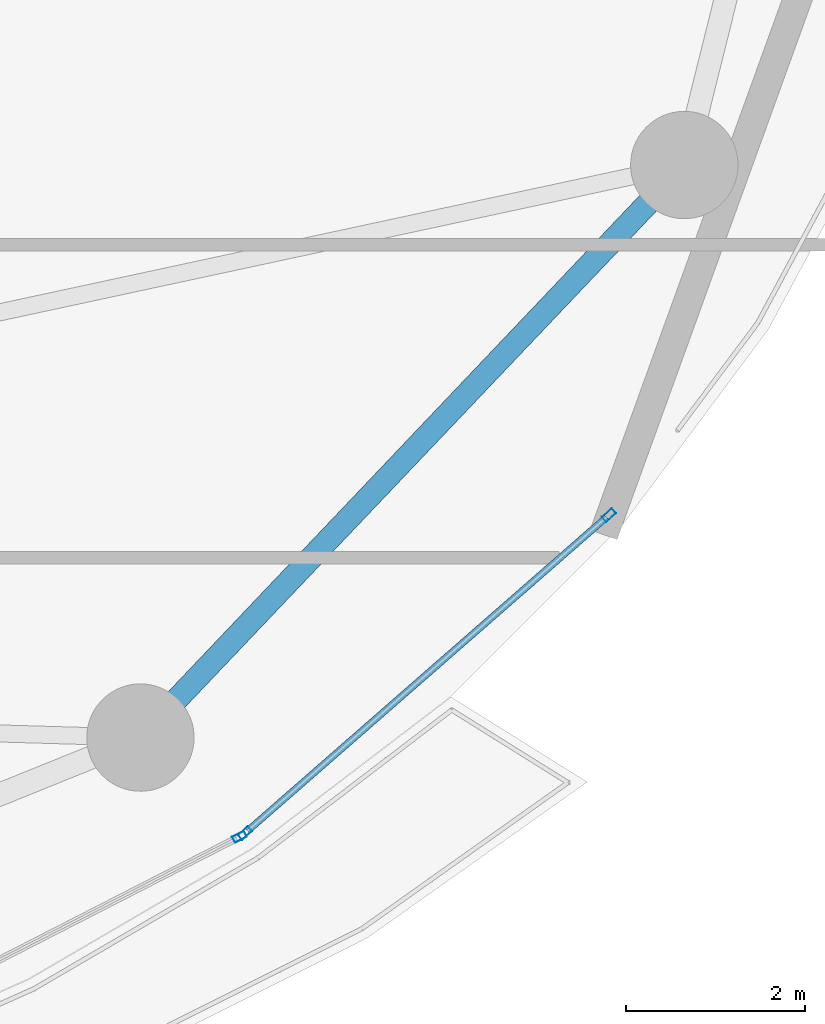
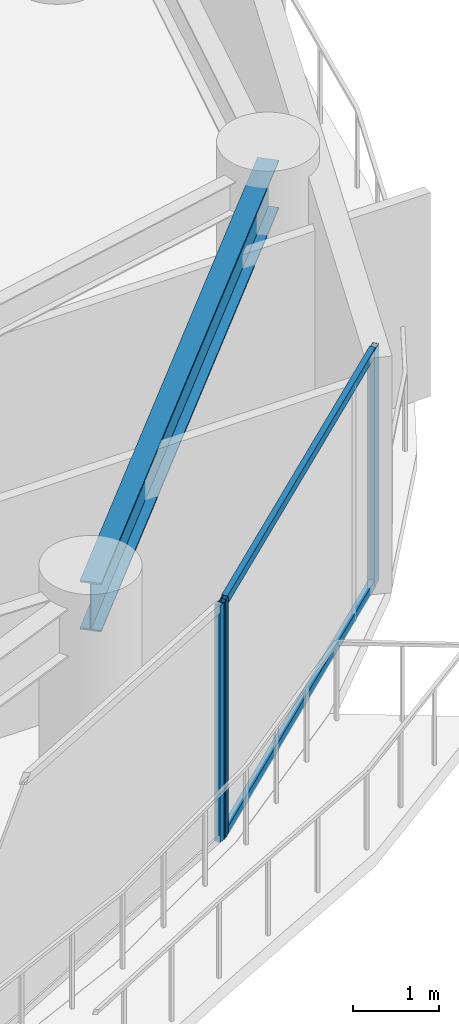
# One storey, part 13 of 28: 5 members, 1 beam, 2 elements without a shape of their own.
"""IFC4 building model written with IfcOpenShell, lengths in metres."""

from ifc_helpers import new_model, si_unit, direction, frame, origin, origin_2d, place, context, subcontext, project, spatial, hollow_rectangle, i_section, extrude, material, layer, layer_set, material_profile, profile_set, type_object, element, aggregate, save


model = new_model("IFC4")

# Units and contexts
model_context = context("Model", 3, precision=1e-05, world=origin(), true_north=direction((0.0, 1.0)))
body_context = subcontext(model_context, "Body", "Model", "MODEL_VIEW")
ifc_project = project(units=[si_unit("LENGTHUNIT", "METRE"), si_unit("AREAUNIT", "SQUARE_METRE"), si_unit("VOLUMEUNIT", "CUBIC_METRE"), si_unit("PLANEANGLEUNIT", "RADIAN"), si_unit("MASSUNIT", "GRAM", prefix="KILO")], contexts=[model_context])

# Site, building, storey
site_placement = place(None, origin())
site = spatial("IfcSite", under=ifc_project, at=site_placement, CompositionType="ELEMENT")
building_placement = place(site_placement, origin())
building = spatial("IfcBuilding", under=site, at=building_placement, Name="Kazevale Care Tower and Concert Hall", CompositionType="ELEMENT")
storey_placement = place(building_placement, frame((0.0, 0.0, 106.199951171875)))
storey = spatial("IfcBuildingStorey", under=building, at=storey_placement, Name="L27", CompositionType="ELEMENT", Elevation=106.199951171875)

# Curtain wall, members
ifc_material_1 = material(Name="Aluminium 6063-T6 and Low-E Glass", Category="aluminium")
ifc_layer = layer(ifc_material_1, 0.179931640625)
ifc_layer_set = layer_set([ifc_layer], Name="Aluminium 6063-T6 and Low-E Glass")
curtain_wall_type = type_object("IfcCurtainWallType", Name="Sheltered Concave Balcony Curtain Wall CW-5", PredefinedType="NOTDEFINED", material=ifc_layer_set)
curtain_wall_1_placement = place(storey_placement, origin())
curtain_wall_1 = element("IfcCurtainWall", 1, at=curtain_wall_1_placement, inside=storey, type_object=curtain_wall_type, Name="cw:L27:f02", PredefinedType="NOTDEFINED")
ifc_material_2 = material(Name="Aluminium 6063-T6", Category="aluminium")
ifc_material_profile_1 = material_profile(ifc_material_2, hollow_rectangle(XDim=0.074951171875, YDim=0.14990234375, WallThickness=0.00390625, at=origin_2d()), Name="ALU75x150x4")
ifc_profile_set_1 = profile_set([ifc_material_profile_1], Name="Aluminium 6063-T6")
member_type_1 = type_object("IfcMemberType", Name="CW-5 Mullion ALU75x150x4", PredefinedType="MULLION", material=ifc_profile_set_1)
member_1_placement = place(storey_placement, frame((70.06787109375, 25.477294921875, 0.0), z_axis=(0.0, 0.0, 1.0), x_axis=(0.657948668382, -0.753062779437, 0.0)))
member_1 = element("IfcMember", 2, at=member_1_placement, type_object=member_type_1, Name="CW-5 mullion 1", PredefinedType="MULLION", context=body_context, shape_type="SweptSolid", body=[
    extrude(hollow_rectangle(XDim=0.074951171875, YDim=0.14990234375, WallThickness=0.00390625, at=origin_2d()), origin(), (0.0, 0.0, 1.0), 3.360107421875),
])
member_2_placement = place(storey_placement, frame((65.999267578125, 21.922607421875, 0.0), z_axis=(0.0, 0.0, 1.0), x_axis=(0.657948668382, -0.753062779437, 0.0)))
member_2 = element("IfcMember", 3, at=member_2_placement, type_object=member_type_1, Name="CW-5 mullion 2", PredefinedType="MULLION", context=body_context, shape_type="SweptSolid", body=[
    extrude(hollow_rectangle(XDim=0.074951171875, YDim=0.14990234375, WallThickness=0.00390625, at=origin_2d()), origin(), (0.0, 0.0, 1.0), 3.360107421875),
])

# Curtain wall, member
curtain_wall_2_placement = place(storey_placement, origin())
curtain_wall_2 = element("IfcCurtainWall", 4, at=curtain_wall_2_placement, inside=storey, type_object=curtain_wall_type, Name="cw:L27:f03", PredefinedType="NOTDEFINED")
member_3_placement = place(storey_placement, frame((65.9375, 21.880859375, 0.0), z_axis=(0.0, 0.0, 1.0), x_axis=(0.455713236575, -0.890126646051, 0.0)))
member_3 = element("IfcMember", 5, at=member_3_placement, type_object=member_type_1, Name="CW-5 mullion 1", PredefinedType="MULLION", context=body_context, shape_type="SweptSolid", body=[
    extrude(hollow_rectangle(XDim=0.074951171875, YDim=0.14990234375, WallThickness=0.00390625, at=origin_2d()), origin(), (0.0, 0.0, 1.0), 3.360107421875),
])
aggregate(curtain_wall_2, [member_3])

# Member
ifc_material_profile_2 = material_profile(ifc_material_2, hollow_rectangle(XDim=0.074951171875, YDim=0.1201171875, WallThickness=0.00390625, at=origin_2d()), Name="ALU75x120x4")
ifc_profile_set_2 = profile_set([ifc_material_profile_2], Name="Aluminium 6063-T6")
member_type_2 = type_object("IfcMemberType", Name="CW-5 Transom ALU75x120x4", PredefinedType="USERDEFINED", material=ifc_profile_set_2)
member_4_placement = place(storey_placement, frame((70.03955078125, 25.45263671875, 0.03759765625), z_axis=(-0.753050570644, -0.657962641837, 0.0), x_axis=(0.657962641837, -0.753050570644, 0.0)))
member_4 = element("IfcMember", 6, at=member_4_placement, type_object=member_type_2, Name="CW-5 transom 1.1", ObjectType="TRANSOM", PredefinedType="USERDEFINED", context=body_context, shape_type="SweptSolid", body=[
    extrude(hollow_rectangle(XDim=0.074951171875, YDim=0.1201171875, WallThickness=0.00390625, at=origin_2d()), origin(), (0.0, 0.0, 1.0), 5.32763671875),
])

member_5_placement = place(storey_placement, frame((70.03955078125, 25.45263671875, 3.322509765625), z_axis=(-0.753050570644, -0.657962641837, 0.0), x_axis=(0.657962641837, -0.753050570644, 0.0)))
member_5 = element("IfcMember", 7, at=member_5_placement, type_object=member_type_2, Name="CW-5 transom 1.2", ObjectType="TRANSOM", PredefinedType="USERDEFINED", context=body_context, shape_type="SweptSolid", body=[
    extrude(hollow_rectangle(XDim=0.074951171875, YDim=0.1201171875, WallThickness=0.00390625, at=origin_2d()), origin(), (0.0, 0.0, 1.0), 5.32763671875),
])

aggregate(curtain_wall_1, [member_1, member_2, member_4, member_5])

# Beam
ifc_material_3 = material(Name="Steel ASTM A572 Gr 50", Category="steel")
ifc_material_profile_3 = material_profile(ifc_material_3, i_section(OverallWidth=0.256103515625, OverallDepth=0.693115234375, WebThickness=0.014404296875, FlangeThickness=0.023681640625, at=origin_2d()), Name="W690x170")
ifc_profile_set_3 = profile_set([ifc_material_profile_3], Name="Steel ASTM A572 Gr 50")
beam_type = type_object("IfcBeamType", Name="Waist Ring Beam W690x170", PredefinedType="BEAM", material=ifc_profile_set_3)
beam_placement = place(storey_placement, frame((64.830078125, 22.989990234375, 3.013427734375), z_axis=(0.688745100728, 0.725003576697, 0.0), x_axis=(-0.725003576697, 0.688745100728, 0.0)))
element("IfcBeam", 8, at=beam_placement, inside=storey, type_object=beam_type, Name="beam:L27:ring:15", PredefinedType="BEAM", context=body_context, shape_type="SweptSolid", body=[
    extrude(i_section(OverallWidth=0.256103515625, OverallDepth=0.693115234375, WebThickness=0.014404296875, FlangeThickness=0.023681640625, at=origin_2d()), origin(), (0.0, 0.0, 1.0), 8.827392578125),
])

save(model, "model.ifc")
